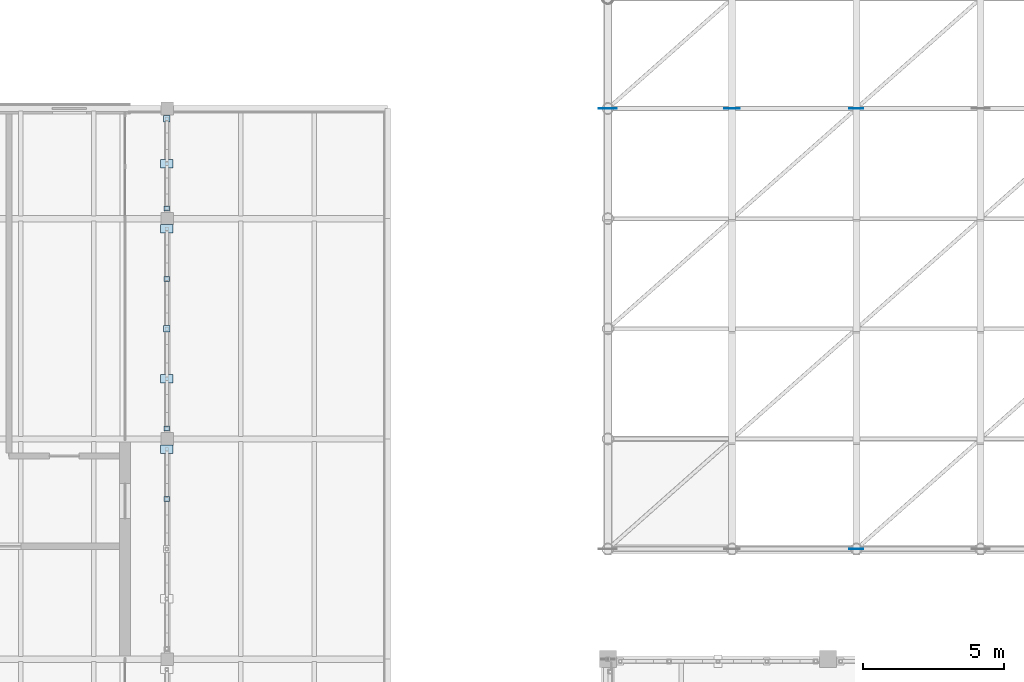
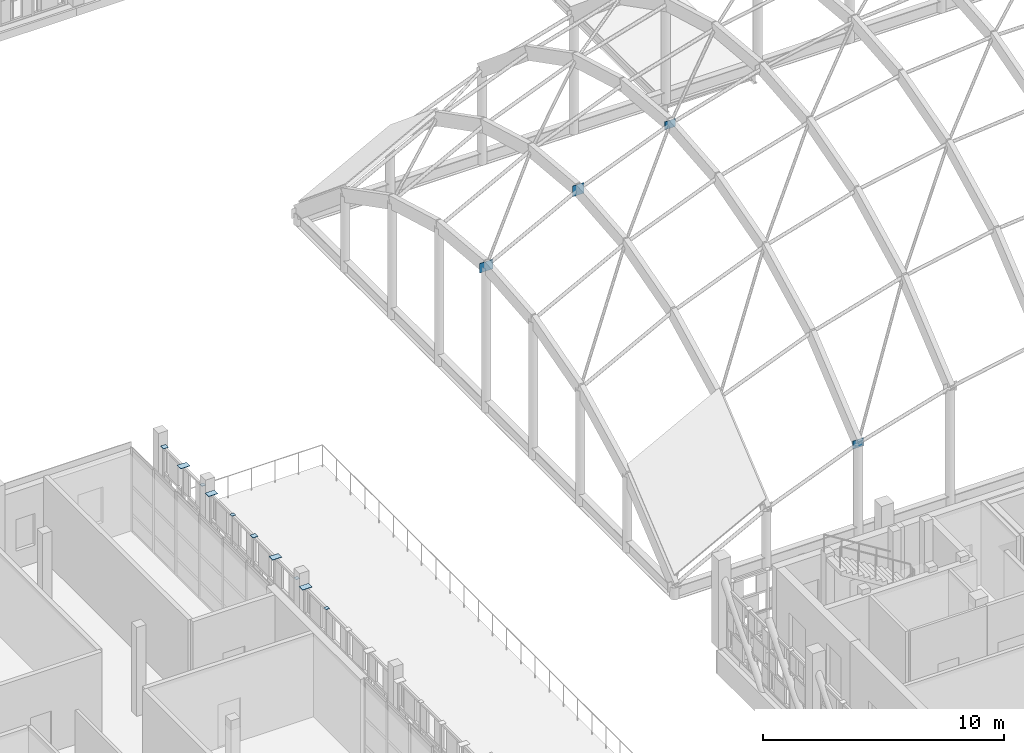
# One storey, part 78 of 119: 14 plates.
"""IFC4 building model written with IfcOpenShell, lengths in metres."""

from ifc_helpers import new_model, si_unit, direction, frame, origin, origin_2d, place, context, subcontext, project, spatial, rectangle, extrude, material, layer, layer_set, type_object, element, save


model = new_model("IFC4")

# Units and contexts
model_context = context("Model", 3, precision=1e-05, world=origin(), true_north=direction((0.0, 1.0)))
body_context = subcontext(model_context, "Body", "Model", "MODEL_VIEW")
ifc_project = project(units=[si_unit("LENGTHUNIT", "METRE"), si_unit("AREAUNIT", "SQUARE_METRE"), si_unit("VOLUMEUNIT", "CUBIC_METRE"), si_unit("PLANEANGLEUNIT", "RADIAN"), si_unit("MASSUNIT", "GRAM", prefix="KILO")], contexts=[model_context])

# Site, building, storey
site_placement = place(None, origin())
site = spatial("IfcSite", under=ifc_project, at=site_placement, CompositionType="ELEMENT")
building_placement = place(site_placement, origin())
building = spatial("IfcBuilding", under=site, at=building_placement, Name="Celorna Specialist Clinic", CompositionType="ELEMENT")
storey_placement = place(building_placement, frame((0.0, 0.0, 9.60009765625)))
storey = spatial("IfcBuildingStorey", under=building, at=storey_placement, Name="L02", CompositionType="ELEMENT", Elevation=9.60009765625)

# Plates
ifc_material = material(Name="Steel S355", Category="steel")
ifc_layer_1 = layer(ifc_material, 0.011962890625, Name="Steel S355")
ifc_layer_set_1 = layer_set([ifc_layer_1], Name="Steel S355")
plate_type_1 = type_object("IfcPlateType", Name="EP-06", PredefinedType="SHEET", material=ifc_layer_set_1)
for number, where, z_axis, x_axis, name in (
    (1, (38.97998046875, 48.5673828125, 3.83984375), (0.0, 0.0, 1.0), (0.0, 1.0, 0.0), "Screen post cap plate EP-06 #1563"),
    (2, (38.97998046875, 51.06494140625, 3.83984375), (0.0, 0.0, 1.0), (0.0, 1.0, 0.0), "Screen post cap plate EP-06 #1581"),
    (3, (38.97998046875, 56.367431640625, 3.83984375), (0.0, 0.0, 1.0), (0.0, 1.0, 0.0), "Screen post cap plate EP-06 #1584"),
    (4, (38.97998046875, 58.864990234375, 3.83984375), (0.0, 0.0, 1.0), (0.0, 1.0, 0.0), "Screen post cap plate EP-06 #1602"),
):
    element("IfcPlate", number, at=place(storey_placement, frame(where, z_axis=z_axis, x_axis=x_axis)), inside=storey, type_object=plate_type_1, Name=name, PredefinedType="SHEET", context=body_context, shape_type="SweptSolid", body=[
        extrude(rectangle(XDim=0.179931640625, YDim=0.179931640625, at=origin_2d()), origin(), (0.0, 0.0, 1.0), 0.011962890625),
    ])
ifc_layer_2 = layer(ifc_material, 0.01611328125, Name="Steel S355")
ifc_layer_set_2 = layer_set([ifc_layer_2], Name="Steel S355")
plate_type_2 = type_object("IfcPlateType", Name="EP-07", PredefinedType="SHEET", material=ifc_layer_set_2)
for number, where, z_axis, x_axis, name in (
    (5, (38.97998046875, 50.3349609375, 3.83984375), (0.0, 0.0, 1.0), (0.0, 1.0, 0.0), "Screen post cap plate EP-07 #1564"),
    (6, (38.97998046875, 52.83251953125, 3.83984375), (0.0, 0.0, 1.0), (0.0, 1.0, 0.0), "Screen post cap plate EP-07 #1582"),
    (7, (38.97998046875, 58.135009765625, 3.83984375), (0.0, 0.0, 1.0), (0.0, 1.0, 0.0), "Screen post cap plate EP-07 #1585"),
    (8, (38.97998046875, 60.449951171875, 3.83984375), (0.0, 0.0, 1.0), (0.0, 1.0, 0.0), "Screen post cap plate EP-07 #1603"),
):
    element("IfcPlate", number, at=place(storey_placement, frame(where, z_axis=z_axis, x_axis=x_axis)), inside=storey, type_object=plate_type_2, Name=name, PredefinedType="SHEET", context=body_context, shape_type="SweptSolid", body=[
        extrude(rectangle(XDim=0.300048828125, YDim=0.43994140625, at=origin_2d()), origin(), (0.0, 0.0, 1.0), 0.01611328125),
    ])
ifc_layer_3 = layer(ifc_material, 0.013916015625, Name="Steel S355")
ifc_layer_set_3 = layer_set([ifc_layer_3], Name="Steel S355")
plate_type_3 = type_object("IfcPlateType", Name="EP-08", PredefinedType="SHEET", material=ifc_layer_set_3)
for number, where, z_axis, x_axis, name in (
    (9, (38.97998046875, 54.60009765625, 3.83984375), (0.0, 0.0, 1.0), (0.0, 1.0, 0.0), "Screen post cap plate EP-08 #1583"),
    (10, (38.97998046875, 62.034912109375, 3.83984375), (0.0, 0.0, 1.0), (0.0, 1.0, 0.0), "Screen post cap plate EP-08 #1604"),
):
    element("IfcPlate", number, at=place(storey_placement, frame(where, z_axis=z_axis, x_axis=x_axis)), inside=storey, type_object=plate_type_3, Name=name, PredefinedType="SHEET", context=body_context, shape_type="SweptSolid", body=[
        extrude(rectangle(XDim=0.239990234375, YDim=0.239990234375, at=origin_2d()), origin(), (0.0, 0.0, 1.0), 0.013916015625),
    ])
ifc_layer_4 = layer(ifc_material, 0.02197265625, Name="Steel S355")
ifc_layer_set_4 = layer_set([ifc_layer_4], Name="Steel S355")
plate_type_4 = type_object("IfcPlateType", Name="GP-03", PredefinedType="USERDEFINED", material=ifc_layer_set_4)
plate_1_placement = place(storey_placement, frame((54.60009765625, 62.39990234375, 7.06494140625), z_axis=(0.0, 0.0, 1.0), x_axis=(1.0, 0.0, 0.0)))
element("IfcPlate", 11, at=plate_1_placement, inside=storey, type_object=plate_type_4, Name="GSH-V1 gridshell steel node shoe GN-01", ObjectType="GUSSET PLATE", PredefinedType="USERDEFINED", context=body_context, shape_type="SweptSolid", body=[
    extrude(rectangle(XDim=0.639892578125, YDim=0.02197265625, at=origin_2d()), origin(), (0.0, 0.0, 1.0), 0.47998046875),
])
ifc_layer_5 = layer(ifc_material, 0.02001953125, Name="Steel S355")
ifc_layer_set_5 = layer_set([ifc_layer_5], Name="Steel S355")
plate_type_5 = type_object("IfcPlateType", Name="GP-04", PredefinedType="USERDEFINED", material=ifc_layer_set_5)
plate_2_placement = place(storey_placement, frame((59.0, 62.39990234375, 9.364501953125), z_axis=(0.0, 0.0, 1.0), x_axis=(1.0, 0.0, 0.0)))
element("IfcPlate", 12, at=plate_2_placement, inside=storey, type_object=plate_type_5, Name="GSH-V1 gridshell steel node shoe GN-02", ObjectType="GUSSET PLATE", PredefinedType="USERDEFINED", context=body_context, shape_type="SweptSolid", body=[
    extrude(rectangle(XDim=0.5400390625, YDim=0.02001953125, at=origin_2d()), origin(), (0.0, 0.0, 1.0), 0.5400390625),
])
ifc_layer_6 = layer(ifc_material, 0.02001953125, Name="Steel S355")
ifc_layer_set_6 = layer_set([ifc_layer_6], Name="Steel S355")
plate_type_6 = type_object("IfcPlateType", Name="GP-08", PredefinedType="USERDEFINED", material=ifc_layer_set_6)
for number, where, z_axis, x_axis, name in (
    (13, (63.39990234375, 46.800048828125, 4.50537109375), (0.0, 0.0, 1.0), (1.0, 0.0, 0.0), "GSH-V1 gridshell steel node shoe GN-03"),
    (14, (63.39990234375, 62.39990234375, 11.21044921875), (0.0, 0.0, 1.0), (1.0, 0.0, 0.0), "GSH-V1 gridshell steel node shoe GN-03"),
):
    element("IfcPlate", number, at=place(storey_placement, frame(where, z_axis=z_axis, x_axis=x_axis)), inside=storey, type_object=plate_type_6, Name=name, ObjectType="GUSSET PLATE", PredefinedType="USERDEFINED", context=body_context, shape_type="SweptSolid", body=[
        extrude(rectangle(XDim=0.5, YDim=0.02001953125, at=origin_2d()), origin(), (0.0, 0.0, 1.0), 0.39990234375),
    ])

save(model, "model.ifc")
